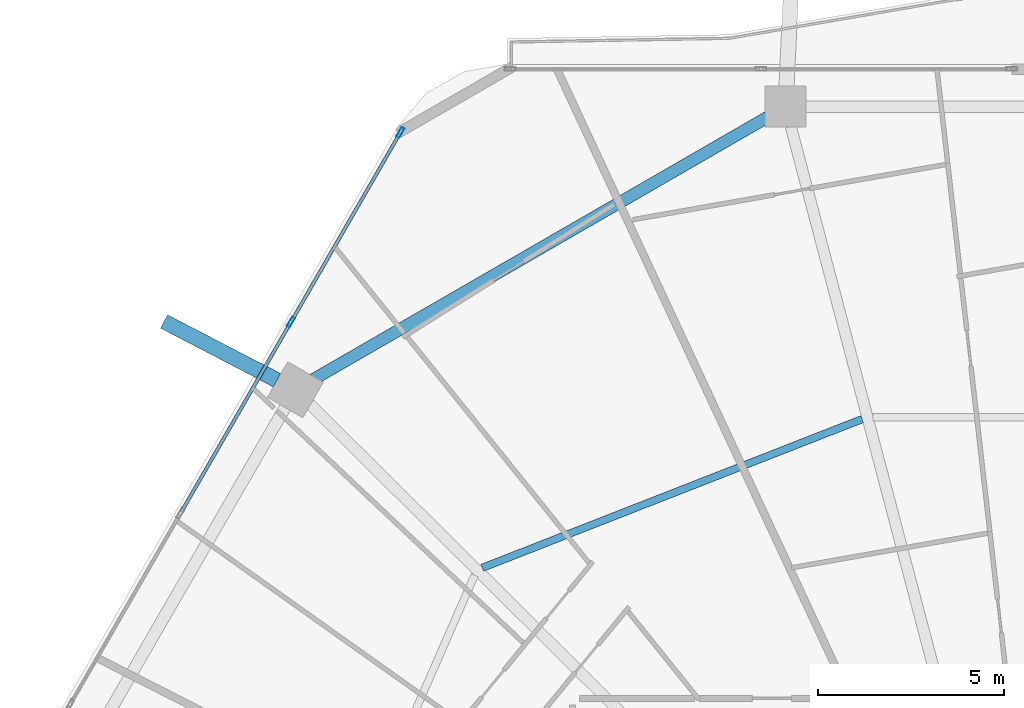
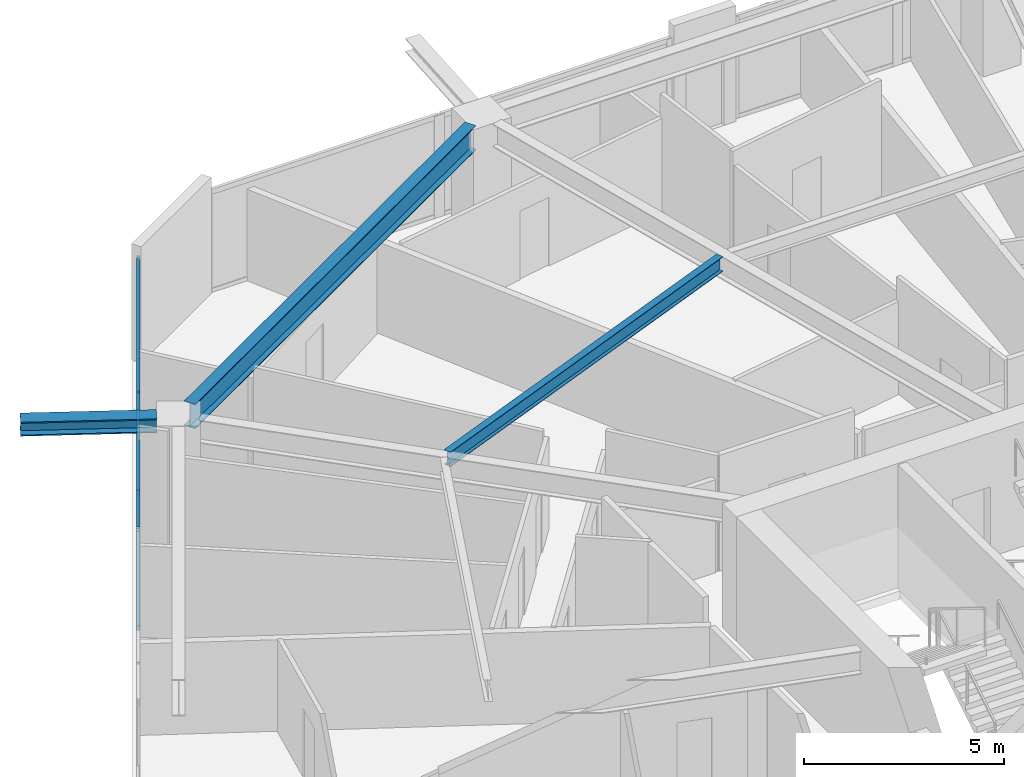
# One storey, part 15 of 33: 6 members, 3 beams, 1 element without a shape of its own.
"""IFC4 building model written with IfcOpenShell, lengths in metres."""

from ifc_helpers import new_model, si_unit, direction, frame, origin, origin_2d, place, context, subcontext, project, spatial, hollow_rectangle, i_section, extrude, material, material_profile, profile_set, type_object, element, aggregate, save


model = new_model("IFC4")

# Units and contexts
model_context = context("Model", 3, precision=1e-05, world=origin(), true_north=direction((0.0, 1.0)))
body_context = subcontext(model_context, "Body", "Model", "MODEL_VIEW")
ifc_project = project(units=[si_unit("LENGTHUNIT", "METRE"), si_unit("AREAUNIT", "SQUARE_METRE"), si_unit("VOLUMEUNIT", "CUBIC_METRE"), si_unit("PLANEANGLEUNIT", "RADIAN"), si_unit("MASSUNIT", "GRAM", prefix="KILO")], contexts=[model_context])

# Site, building, storey
site_placement = place(None, origin())
site = spatial("IfcSite", under=ifc_project, at=site_placement, CompositionType="ELEMENT")
building_placement = place(site_placement, origin())
building = spatial("IfcBuilding", under=site, at=building_placement, Name="Zuhravey Tower", CompositionType="ELEMENT")
storey_placement = place(building_placement, frame((0.0, 0.0, 126.60009765625)))
storey = spatial("IfcBuildingStorey", under=building, at=storey_placement, Name="L31", CompositionType="ELEMENT", Elevation=126.60009765625)

# Curtain wall, members
ifc_material_1 = material(Name="Thermally broken anodised aluminium", Category="aluminium")
curtain_wall_type = type_object("IfcCurtainWallType", Name="Zone 1-2 Residential Curtain Wall CW3", PredefinedType="NOTDEFINED", material=ifc_material_1)
curtain_wall_placement = place(storey_placement, origin())
curtain_wall = element("IfcCurtainWall", 1, at=curtain_wall_placement, inside=storey, type_object=curtain_wall_type, Name="L31 CW3 CW-L31-F3-1", PredefinedType="NOTDEFINED")
ifc_material_2 = material(Name="Anodised aluminium", Category="aluminium")
ifc_material_profile_1 = material_profile(ifc_material_2, hollow_rectangle(XDim=0.090087890625, YDim=0.284912109375, WallThickness=0.0048828125, at=origin_2d()), Name="ALU-RHS-90x285x5")
ifc_profile_set_1 = profile_set([ifc_material_profile_1], Name="Anodised aluminium")
member_type_1 = type_object("IfcMemberType", Name="Curtain-Wall Mullion 90x180", PredefinedType="MULLION", material=ifc_profile_set_1)
member_1_placement = place(storey_placement, frame((15.361083984375, 54.169189453125, 0.0), z_axis=(0.0, 0.0, 1.0), x_axis=(-0.86602552265, 0.499999794119, 0.0)))
member_1 = element("IfcMember", 2, at=member_1_placement, type_object=member_type_1, Name="CW3 mullion 5", PredefinedType="MULLION", context=body_context, shape_type="SweptSolid", body=[
    extrude(hollow_rectangle(XDim=0.090087890625, YDim=0.284912109375, WallThickness=0.0048828125, at=origin_2d()), origin(), (0.0, 0.0, 1.0), 3.121826171875),
])
member_2_placement = place(storey_placement, frame((18.298583984375, 59.257080078125, 0.0), z_axis=(0.0, 0.0, 1.0), x_axis=(-0.86602552265, 0.499999794119, 0.0)))
member_2 = element("IfcMember", 3, at=member_2_placement, type_object=member_type_1, Name="CW3 mullion 6", PredefinedType="MULLION", context=body_context, shape_type="SweptSolid", body=[
    extrude(hollow_rectangle(XDim=0.090087890625, YDim=0.284912109375, WallThickness=0.0048828125, at=origin_2d()), origin(), (0.0, 0.0, 1.0), 3.121826171875),
])
ifc_material_profile_2 = material_profile(ifc_material_2, hollow_rectangle(XDim=0.090087890625, YDim=0.14990234375, WallThickness=0.0048828125, at=origin_2d()), Name="ALU-RHS-90x150x5")
ifc_profile_set_2 = profile_set([ifc_material_profile_2], Name="Anodised aluminium")
member_type_2 = type_object("IfcMemberType", Name="Curtain-Wall Transom 90x150", PredefinedType="USERDEFINED", material=ifc_profile_set_2)
member_3_placement = place(storey_placement, frame((12.423583984375, 49.08154296875, 0.044921875), z_axis=(0.500012451049, 0.866018215049, 0.0), x_axis=(-0.866018215049, 0.500012451049, 0.0)))
member_3 = element("IfcMember", 4, at=member_3_placement, type_object=member_type_2, Name="CW3 transom 4.1", ObjectType="TRANSOM", PredefinedType="USERDEFINED", context=body_context, shape_type="SweptSolid", body=[
    extrude(hollow_rectangle(XDim=0.090087890625, YDim=0.14990234375, WallThickness=0.0048828125, at=origin_2d()), origin(), (0.0, 0.0, 1.0), 5.829833984375),
])
member_4_placement = place(storey_placement, frame((12.423583984375, 49.08154296875, 3.076904296875), z_axis=(0.500012451049, 0.866018215049, 0.0), x_axis=(-0.866018215049, 0.500012451049, 0.0)))
member_4 = element("IfcMember", 5, at=member_4_placement, type_object=member_type_2, Name="CW3 transom 4.2", ObjectType="TRANSOM", PredefinedType="USERDEFINED", context=body_context, shape_type="SweptSolid", body=[
    extrude(hollow_rectangle(XDim=0.090087890625, YDim=0.14990234375, WallThickness=0.0048828125, at=origin_2d()), origin(), (0.0, 0.0, 1.0), 5.829833984375),
])
member_5_placement = place(storey_placement, frame((15.383544921875, 54.208251953125, 0.044921875), z_axis=(0.499992798144, 0.866029561738, 0.0), x_axis=(-0.866029561738, 0.499992798144, 0.0)))
member_5 = element("IfcMember", 6, at=member_5_placement, type_object=member_type_2, Name="CW3 transom 5.1", ObjectType="TRANSOM", PredefinedType="USERDEFINED", context=body_context, shape_type="SweptSolid", body=[
    extrude(hollow_rectangle(XDim=0.090087890625, YDim=0.14990234375, WallThickness=0.0048828125, at=origin_2d()), origin(), (0.0, 0.0, 1.0), 5.78466796875),
])
member_6_placement = place(storey_placement, frame((15.383544921875, 54.208251953125, 3.076904296875), z_axis=(0.499992798144, 0.866029561738, 0.0), x_axis=(-0.866029561738, 0.499992798144, 0.0)))
member_6 = element("IfcMember", 7, at=member_6_placement, type_object=member_type_2, Name="CW3 transom 5.2", ObjectType="TRANSOM", PredefinedType="USERDEFINED", context=body_context, shape_type="SweptSolid", body=[
    extrude(hollow_rectangle(XDim=0.090087890625, YDim=0.14990234375, WallThickness=0.0048828125, at=origin_2d()), origin(), (0.0, 0.0, 1.0), 5.78466796875),
])
aggregate(curtain_wall, [member_1, member_2, member_3, member_4, member_5, member_6])

# Beams
ifc_material_3 = material(Name="Steel SM460", Category="steel")
ifc_material_profile_3 = material_profile(ifc_material_3, i_section(OverallWidth=0.406982421875, OverallDepth=0.427978515625, WebThickness=0.02001953125, FlangeThickness=0.034912109375, at=origin_2d()), Name="H-428x407x20x35")
ifc_profile_set_3 = profile_set([ifc_material_profile_3], Name="Steel SM460")
beam_type_1 = type_object("IfcBeamType", Name="Exoskeleton Node Tie Beam H428x407", PredefinedType="BEAM", material=ifc_profile_set_3)
beam_1_placement = place(storey_placement, frame((14.989013671875, 52.612548828125, 3.3359375), z_axis=(-0.887281176161, 0.4612289176, 0.0), x_axis=(-0.4612289176, -0.887281176161, 0.0)))
element("IfcBeam", 8, at=beam_1_placement, inside=storey, type_object=beam_type_1, Name="L31 Exoskeleton Node Tie NT1-05", PredefinedType="BEAM", context=body_context, shape_type="SweptSolid", body=[
    extrude(i_section(OverallWidth=0.406982421875, OverallDepth=0.427978515625, WebThickness=0.02001953125, FlangeThickness=0.034912109375, at=origin_2d()), origin(), (0.0, 0.0, 1.0), 3.414794921875),
])
ifc_material_4 = material(Name="Steel SM355", Category="steel")
ifc_material_profile_4 = material_profile(ifc_material_4, i_section(OverallWidth=0.320068359375, OverallDepth=0.75, WebThickness=0.013916015625, FlangeThickness=0.02490234375, at=origin_2d()), Name="H-750x320x14x25")
ifc_profile_set_4 = profile_set([ifc_material_profile_4], Name="Steel SM355")
beam_type_2 = type_object("IfcBeamType", Name="Perimeter Ring Beam H750x320", PredefinedType="BEAM", material=ifc_profile_set_4)
beam_2_placement = place(storey_placement, frame((28.151123046875, 59.672119140625, 3.1748046875), z_axis=(-0.866017786538, -0.500013193225, 0.0), x_axis=(0.500013193225, -0.866017786538, 0.0)))
element("IfcBeam", 9, at=beam_2_placement, inside=storey, type_object=beam_type_2, Name="L31 PB1 BM-L31-PB-04", PredefinedType="BEAM", context=body_context, shape_type="SweptSolid", body=[
    extrude(i_section(OverallWidth=0.320068359375, OverallDepth=0.75, WebThickness=0.013916015625, FlangeThickness=0.02490234375, at=origin_2d()), origin(), (0.0, 0.0, 1.0), 14.0771484375),
])
ifc_material_profile_5 = material_profile(ifc_material_4, i_section(OverallWidth=0.199951171875, OverallDepth=0.449951171875, WebThickness=0.009033203125, FlangeThickness=0.013916015625, at=origin_2d()), Name="H-450x200x9x14")
ifc_profile_set_5 = profile_set([ifc_material_profile_5], Name="Steel SM355")
beam_type_3 = type_object("IfcBeamType", Name="Secondary Floor Joist H450x200", PredefinedType="JOIST", material=ifc_profile_set_5)
beam_3_placement = place(storey_placement, frame((30.681640625, 51.568359375, 3.324951171875), z_axis=(-0.931216764731, -0.364465824302, 0.0), x_axis=(0.364465824302, -0.931216764731, 0.0)))
element("IfcBeam", 10, at=beam_3_placement, inside=storey, type_object=beam_type_3, Name="L31 SJ1 BM-L31-SJ-04-1", PredefinedType="JOIST", context=body_context, shape_type="SweptSolid", body=[
    extrude(i_section(OverallWidth=0.199951171875, OverallDepth=0.449951171875, WebThickness=0.009033203125, FlangeThickness=0.013916015625, at=origin_2d()), origin(), (0.0, 0.0, 1.0), 10.939453125),
])

save(model, "model.ifc")
